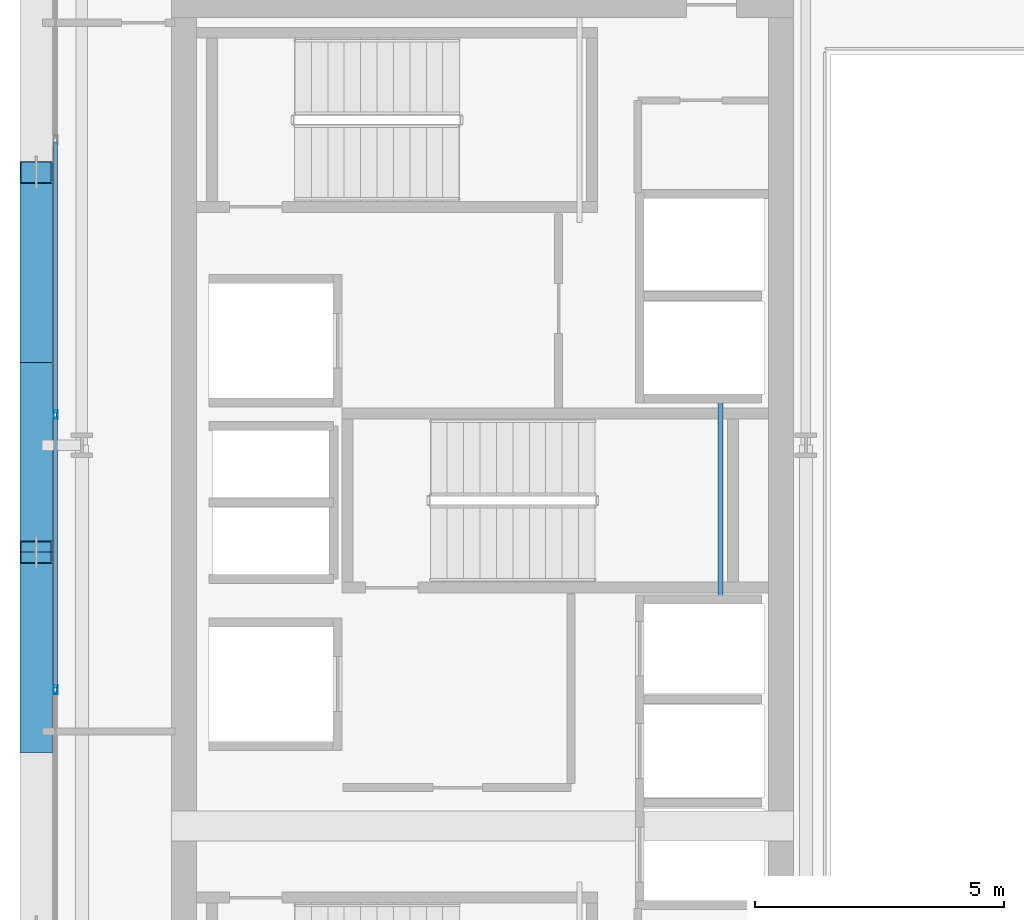
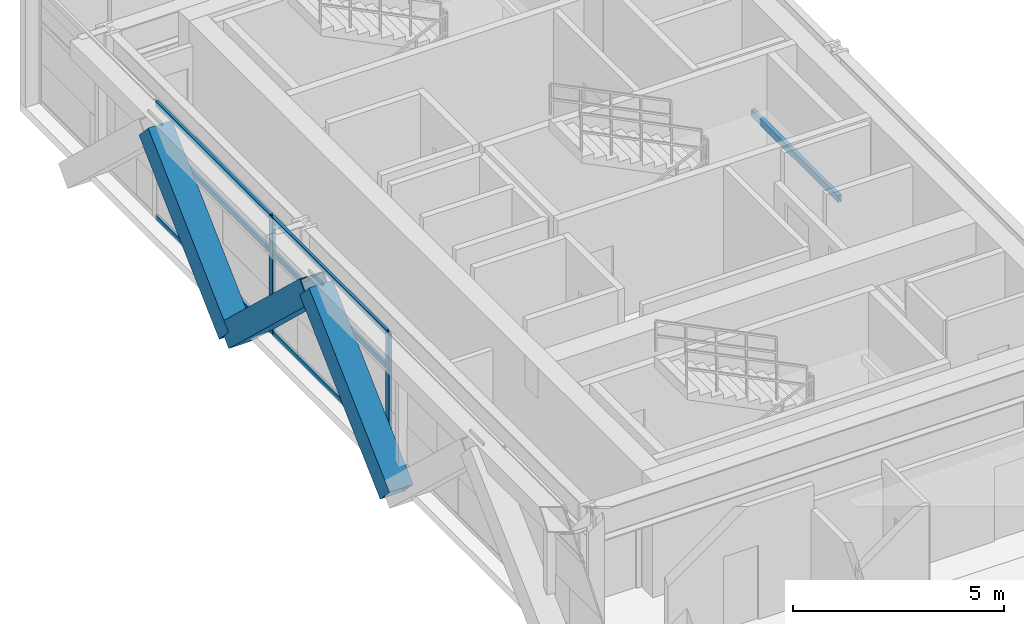
# One storey, part 7 of 31: 11 members, 1 beam, 1 element without a shape of its own.
"""IFC4 building model written with IfcOpenShell, lengths in metres."""

from ifc_helpers import new_model, si_unit, direction, frame, origin, origin_2d, place, context, subcontext, project, spatial, hollow_rectangle, extrude, source, transform, mapped, material, layer, layer_set, material_profile, profile_set, type_object, element, aggregate, save


model = new_model("IFC4")

# Units and contexts
model_context = context("Model", 3, precision=1e-05, world=origin(), true_north=direction((0.0, 1.0)))
body_context = subcontext(model_context, "Body", "Model", "MODEL_VIEW")
ifc_project = project(units=[si_unit("LENGTHUNIT", "METRE"), si_unit("AREAUNIT", "SQUARE_METRE"), si_unit("VOLUMEUNIT", "CUBIC_METRE"), si_unit("PLANEANGLEUNIT", "RADIAN"), si_unit("MASSUNIT", "GRAM", prefix="KILO")], contexts=[model_context])

# Site, building, storey
site_placement = place(None, origin())
site = spatial("IfcSite", under=ifc_project, at=site_placement, CompositionType="ELEMENT")
building_placement = place(site_placement, origin())
building = spatial("IfcBuilding", under=site, at=building_placement, Name="Ocotamira Hotel", CompositionType="ELEMENT")
storey_placement = place(building_placement, frame((0.0, 0.0, 174.0)))
storey = spatial("IfcBuildingStorey", under=building, at=storey_placement, Name="L43", CompositionType="ELEMENT", Elevation=174.0)

# Beam
ifc_material_1 = material(Name="Steel ASTM A500 Grade C", Category="steel")
ifc_material_profile_1 = material_profile(ifc_material_1, hollow_rectangle(XDim=0.10009765625, YDim=0.199951171875, WallThickness=0.008056640625, at=origin_2d()), Name="HSS200X100X8")
ifc_profile_set_1 = profile_set([ifc_material_profile_1], Name="Steel ASTM A500 Grade C")
beam_type = type_object("IfcBeamType", Name="BM-STLDG-HSS200", PredefinedType="BEAM", material=ifc_profile_set_1)
shared_shape_1 = source(origin(), body_context, "Body", "SweptSolid", [
    extrude(hollow_rectangle(XDim=0.10009765625, YDim=0.199951171875, WallThickness=0.008056640625, at=origin_2d()), origin(), (0.0, 0.0, 1.0), 4.1201171875),
])
beam_placement = place(storey_placement, frame((21.780029296875, 24.97998046875, 1.5), z_axis=(0.0, 1.0, 0.0), x_axis=(-1.0, 0.0, 0.0)))
element("IfcBeam", 1, at=beam_placement, inside=storey, type_object=beam_type, Name="L43 Stair ST-3 Landing Bearer 1", PredefinedType="BEAM", context=body_context, shape_type="MappedRepresentation", body=[
    mapped(shared_shape_1, transform((0.0, 0.0, 0.0), scale=1.0)),
])

# Members
ifc_material_2 = material(Name="Pale-metal coated steel ASTM A913 Grade 65", Category="steel")
ifc_material_profile_2 = material_profile(ifc_material_2, hollow_rectangle(XDim=0.64990234375, YDim=0.64990234375, WallThickness=0.02197265625, at=origin_2d()), Name="BOX650X650X22")
ifc_profile_set_2 = profile_set([ifc_material_profile_2], Name="Pale-metal coated steel ASTM A913 Grade 65")
member_type_1 = type_object("IfcMemberType", Name="MEM-EXO-BOX650", PredefinedType="BRACE", material=ifc_profile_set_2)
shared_shape_2 = source(origin(), body_context, "Body", "SweptSolid", [
    extrude(hollow_rectangle(XDim=0.64990234375, YDim=0.64990234375, WallThickness=0.02197265625, at=origin_2d()), origin(), (0.0, 0.0, 1.0), 5.24658203125),
])
for number, where, z_axis, x_axis, name in (
    (2, (8.030029296875, 22.183349609375, -0.47998046875), (0.0, 0.727442733726, 0.686168397078), (-1.0, 0.0, 0.0), "L43 Exoskeleton Diagrid W1.1"),
    (3, (8.030029296875, 29.816650390625, -0.47998046875), (0.0, -0.727442733726, 0.686168397078), (1.0, 0.0, 0.0), "L43 Exoskeleton Diagrid W1.2"),
    (4, (8.030029296875, 29.816650390625, -0.47998046875), (0.0, 0.727442733726, 0.686168397078), (-1.0, 0.0, 0.0), "L43 Exoskeleton Diagrid W2.1"),
):
    element("IfcMember", number, at=place(storey_placement, frame(where, z_axis=z_axis, x_axis=x_axis)), inside=storey, type_object=member_type_1, Name=name, PredefinedType="BRACE", context=body_context, shape_type="MappedRepresentation", body=[
        mapped(shared_shape_2, transform((0.0, 0.0, 0.0), scale=1.0)),
    ])

# Curtain wall, members
ifc_material_3 = material(Name="Anodised pale-metal aluminium and solar glass", Category="aluminium")
ifc_layer = layer(ifc_material_3, 0.199951171875)
ifc_layer_set = layer_set([ifc_layer], Name="Anodised pale-metal aluminium and solar glass")
curtain_wall_type = type_object("IfcCurtainWallType", Name="CW-SYS4-Z3", PredefinedType="NOTDEFINED", material=ifc_layer_set)
curtain_wall_placement = place(storey_placement, origin())
curtain_wall = element("IfcCurtainWall", 5, at=curtain_wall_placement, inside=storey, type_object=curtain_wall_type, Name="L43 Curtain Wall CW-4 CW-L43-W", PredefinedType="NOTDEFINED")
ifc_material_4 = material(Name="Anodised pale-metal aluminium 6063-T6", Category="aluminium")
ifc_material_profile_3 = material_profile(ifc_material_4, hollow_rectangle(XDim=0.080078125, YDim=0.179931640625, WallThickness=0.006103515625, at=origin_2d()), Name="HSS180X80X6")
ifc_profile_set_3 = profile_set([ifc_material_profile_3], Name="Anodised pale-metal aluminium 6063-T6")
member_type_2 = type_object("IfcMemberType", Name="CWM-180X75", PredefinedType="MULLION", material=ifc_profile_set_3)
shared_shape_3 = source(origin(), body_context, "Body", "SweptSolid", [
    extrude(hollow_rectangle(XDim=0.080078125, YDim=0.179931640625, WallThickness=0.006103515625, at=origin_2d()), origin(), (0.0, 0.0, 1.0), 3.3701171875),
])
member_1_placement = place(storey_placement, frame((8.419921875, 23.239990234375, 0.0), z_axis=(0.0, 0.0, 1.0), x_axis=(-1.0, 0.0, 0.0)))
member_1 = element("IfcMember", 6, at=member_1_placement, type_object=member_type_2, Name="CW-4 mullion 3", PredefinedType="MULLION", context=body_context, shape_type="MappedRepresentation", body=[
    mapped(shared_shape_3, transform((0.0, 0.0, 0.0), scale=1.0)),
])
member_2_placement = place(storey_placement, frame((8.419921875, 28.760009765625, 0.0), z_axis=(0.0, 0.0, 1.0), x_axis=(-1.0, 0.0, 0.0)))
member_2 = element("IfcMember", 7, at=member_2_placement, type_object=member_type_2, Name="CW-4 mullion 4", PredefinedType="MULLION", context=body_context, shape_type="MappedRepresentation", body=[
    mapped(shared_shape_3, transform((0.0, 0.0, 0.0), scale=1.0)),
])
ifc_material_profile_4 = material_profile(ifc_material_4, hollow_rectangle(XDim=0.074951171875, YDim=0.14990234375, WallThickness=0.006103515625, at=origin_2d()), Name="HSS150X75X6")
ifc_profile_set_4 = profile_set([ifc_material_profile_4], Name="Anodised pale-metal aluminium 6063-T6")
member_type_3 = type_object("IfcMemberType", Name="CWT-150X75", PredefinedType="USERDEFINED", material=ifc_profile_set_4)
shared_shape_4 = source(origin(), body_context, "Body", "SweptSolid", [
    extrude(hollow_rectangle(XDim=0.074951171875, YDim=0.14990234375, WallThickness=0.006103515625, at=origin_2d()), origin(), (0.0, 0.0, 1.0), 5.43994140625),
])
member_3_placement = place(storey_placement, frame((8.419921875, 23.280029296875, 0.03759765625), z_axis=(0.0, 1.0, 0.0), x_axis=(-1.0, 0.0, 0.0)))
member_3 = element("IfcMember", 8, at=member_3_placement, type_object=member_type_3, Name="CW-4 transom 3.1", ObjectType="TRANSOM", PredefinedType="USERDEFINED", context=body_context, shape_type="MappedRepresentation", body=[
    mapped(shared_shape_4, transform((0.0, 0.0, 0.0), scale=1.0)),
])
member_4_placement = place(storey_placement, frame((8.419921875, 23.280029296875, 2.35009765625), z_axis=(0.0, 1.0, 0.0), x_axis=(-1.0, 0.0, 0.0)))
member_4 = element("IfcMember", 9, at=member_4_placement, type_object=member_type_3, Name="CW-4 transom 3.2", ObjectType="TRANSOM", PredefinedType="USERDEFINED", context=body_context, shape_type="MappedRepresentation", body=[
    mapped(shared_shape_4, transform((0.0, 0.0, 0.0), scale=1.0)),
])
member_5_placement = place(storey_placement, frame((8.419921875, 23.280029296875, 3.33251953125), z_axis=(0.0, 1.0, 0.0), x_axis=(-1.0, 0.0, 0.0)))
member_5 = element("IfcMember", 10, at=member_5_placement, type_object=member_type_3, Name="CW-4 transom 3.3", ObjectType="TRANSOM", PredefinedType="USERDEFINED", context=body_context, shape_type="MappedRepresentation", body=[
    mapped(shared_shape_4, transform((0.0, 0.0, 0.0), scale=1.0)),
])
member_6_placement = place(storey_placement, frame((8.419921875, 28.800048828125, 0.03759765625), z_axis=(0.0, 1.0, 0.0), x_axis=(-1.0, 0.0, 0.0)))
member_6 = element("IfcMember", 11, at=member_6_placement, type_object=member_type_3, Name="CW-4 transom 4.1", ObjectType="TRANSOM", PredefinedType="USERDEFINED", context=body_context, shape_type="MappedRepresentation", body=[
    mapped(shared_shape_4, transform((0.0, 0.0, 0.0), scale=1.0)),
])
member_7_placement = place(storey_placement, frame((8.419921875, 28.800048828125, 2.35009765625), z_axis=(0.0, 1.0, 0.0), x_axis=(-1.0, 0.0, 0.0)))
member_7 = element("IfcMember", 12, at=member_7_placement, type_object=member_type_3, Name="CW-4 transom 4.2", ObjectType="TRANSOM", PredefinedType="USERDEFINED", context=body_context, shape_type="MappedRepresentation", body=[
    mapped(shared_shape_4, transform((0.0, 0.0, 0.0), scale=1.0)),
])
member_8_placement = place(storey_placement, frame((8.419921875, 28.800048828125, 3.33251953125), z_axis=(0.0, 1.0, 0.0), x_axis=(-1.0, 0.0, 0.0)))
member_8 = element("IfcMember", 13, at=member_8_placement, type_object=member_type_3, Name="CW-4 transom 4.3", ObjectType="TRANSOM", PredefinedType="USERDEFINED", context=body_context, shape_type="MappedRepresentation", body=[
    mapped(shared_shape_4, transform((0.0, 0.0, 0.0), scale=1.0)),
])
aggregate(curtain_wall, [member_1, member_2, member_3, member_4, member_5, member_6, member_7, member_8])

save(model, "model.ifc")
